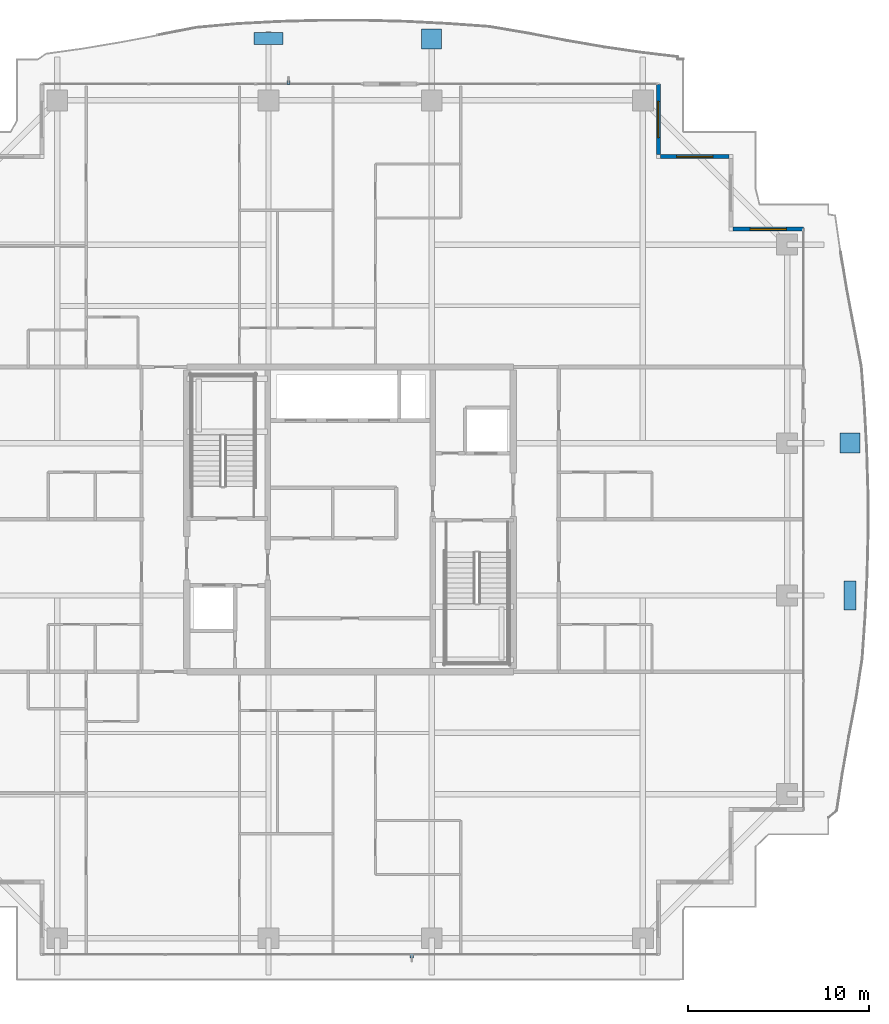
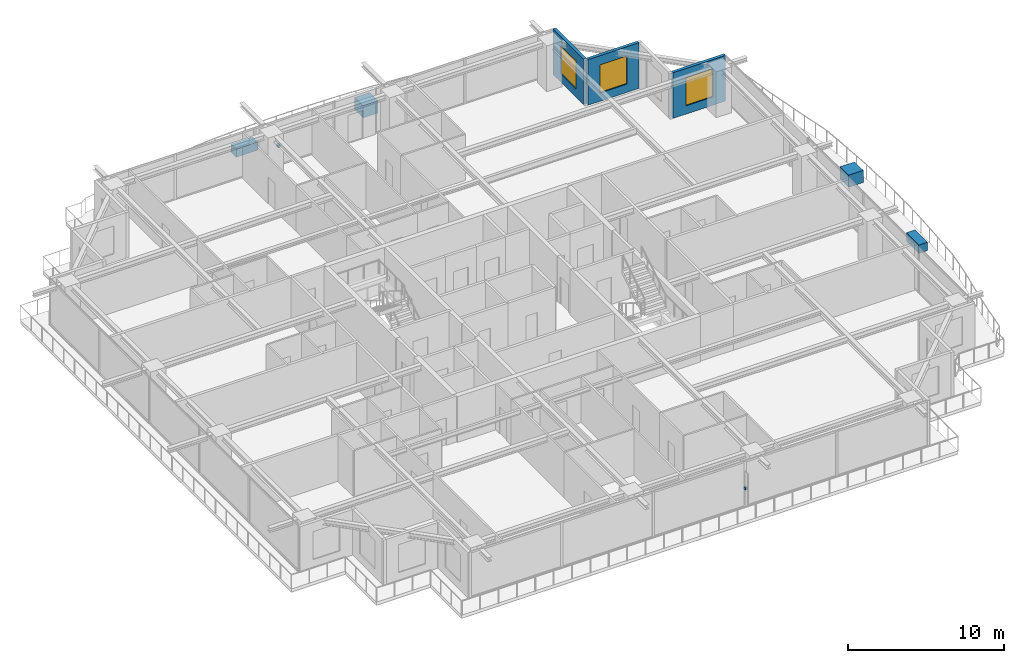
# One storey, part 30 of 38: 6 discrete accessories, 3 walls, 3 windows, 3 openings.
"""IFC4 building model written with IfcOpenShell, lengths in metres."""

from ifc_helpers import new_model, si_unit, direction, frame, frame_2d, origin, origin_2d, place, context, subcontext, project, spatial, rectangle, extrude, source, transform, mapped, material, layer, layer_set, type_object, element, fill, save


model = new_model("IFC4")

# Units and contexts
model_context = context("Model", 3, precision=1e-05, world=origin(), true_north=direction((0.0, 1.0)))
body_context = subcontext(model_context, "Body", "Model", "MODEL_VIEW")
ifc_project = project(units=[si_unit("LENGTHUNIT", "METRE"), si_unit("AREAUNIT", "SQUARE_METRE"), si_unit("VOLUMEUNIT", "CUBIC_METRE"), si_unit("PLANEANGLEUNIT", "RADIAN"), si_unit("MASSUNIT", "GRAM", prefix="KILO")], contexts=[model_context])

# Site, building, storey
site_placement = place(None, origin())
site = spatial("IfcSite", under=ifc_project, at=site_placement, CompositionType="ELEMENT")
building_placement = place(site_placement, origin())
building = spatial("IfcBuilding", under=site, at=building_placement, Name="Serunith Strait Residences", CompositionType="ELEMENT")
storey_placement = place(building_placement, frame((0.0, 0.0, 264.35009765625)))
storey = spatial("IfcBuildingStorey", under=building, at=storey_placement, Name="L66", CompositionType="ELEMENT", Elevation=264.35009765625)

# Wall, opening, window
ifc_material_1 = material(Name="Pale-Champagne Aluminium Insulated Panel", Category="aluminium")
ifc_layer = layer(ifc_material_1, 0.219970703125, Name="Pale-Champagne Aluminium Insulated Panel")
ifc_layer_set = layer_set([ifc_layer], Name="Pale-Champagne Aluminium Insulated Panel")
wall_type = type_object("IfcWallType", Name="EW-ALUM-220", PredefinedType="ELEMENTEDWALL", material=ifc_layer_set)
wall_1_placement = place(storey_placement, frame((57.39990234375, 41.199951171875, 0.0), z_axis=(0.0, 0.0, 1.0), x_axis=(-1.0, 0.0, 0.0)))
wall_1 = element("IfcWall", 1, at=wall_1_placement, inside=storey, type_object=wall_type, Name="L66 Girih Serrated Corner Wall 07", PredefinedType="ELEMENTEDWALL", context=body_context, shape_type="SweptSolid", body=[
    extrude(rectangle(XDim=3.889892578125, YDim=0.219970703125, at=frame_2d((1.94482421875, 0.0))), origin(), (0.0, 0.0, 1.0), 3.574951171875),
])
opening_1_placement = place(wall_1_placement, frame((0.945068359375, 0.0, 0.64990234375)))
opening_1 = element("IfcOpeningElement", 2, at=opening_1_placement, cuts=wall_1, Name="Opening W-04", PredefinedType="OPENING", context=body_context, shape_type="SweptSolid", body=[
    extrude(rectangle(XDim=2.0, YDim=2.199951171875, at=frame_2d((1.0, 1.10009765625))), frame((0.0, 0.1201171875, 0.0), z_axis=(0.0, -1.0, 0.0), x_axis=(1.0, 0.0, 0.0)), (0.0, 0.0, 1.0), 0.239990234375),
])
ifc_material_2 = material(Name="Ceramic-Fritted Operable Aluminium Window Glass", Category="aluminium")
window_type = type_object("IfcWindowType", Name="WIN-C4", PartitioningType="TRIPLE_PANEL_VERTICAL", PredefinedType="WINDOW", material=ifc_material_2)
shared_shape_1 = source(origin(), body_context, "Body", "SweptSolid", [
    extrude(rectangle(XDim=2.0, YDim=2.199951171875, at=frame_2d((1.0, 1.10009765625))), frame((0.0, 0.030029296875, 0.0), z_axis=(0.0, -1.0, 0.0), x_axis=(1.0, 0.0, 0.0)), (0.0, 0.0, 1.0), 0.06005859375),
])
window_1_placement = place(opening_1_placement, origin())
window_1 = element("IfcWindow", 3, at=window_1_placement, inside=storey, type_object=window_type, Name="L66 Corner Operable Fritted Window 07", OverallHeight=2.199951171875, OverallWidth=2.0, PartitioningType="SINGLE_PANEL", PredefinedType="WINDOW", context=body_context, shape_type="MappedRepresentation", body=[
    mapped(shared_shape_1, transform((0.0, 0.0, 0.0), scale=1.0)),
])
fill(opening_1, window_1)

wall_2_placement = place(storey_placement, frame((53.2900390625, 45.199951171875, 0.0), z_axis=(0.0, 0.0, 1.0), x_axis=(-1.0, 0.0, 0.0)))
wall_2 = element("IfcWall", 4, at=wall_2_placement, inside=storey, type_object=wall_type, Name="L66 Girih Serrated Corner Wall 09", PredefinedType="ELEMENTEDWALL", context=body_context, shape_type="SweptSolid", body=[
    extrude(rectangle(XDim=3.780029296875, YDim=0.219970703125, at=frame_2d((1.89013671875, 0.0))), origin(), (0.0, 0.0, 1.0), 3.574951171875),
])
opening_2_placement = place(wall_2_placement, frame((0.889892578125, 0.0, 0.64990234375)))
opening_2 = element("IfcOpeningElement", 5, at=opening_2_placement, cuts=wall_2, Name="Opening W-04", PredefinedType="OPENING", context=body_context, shape_type="SweptSolid", body=[
    extrude(rectangle(XDim=2.0, YDim=2.199951171875, at=frame_2d((1.0, 1.10009765625))), frame((0.0, 0.1201171875, 0.0), z_axis=(0.0, -1.0, 0.0), x_axis=(1.0, 0.0, 0.0)), (0.0, 0.0, 1.0), 0.239990234375),
])
window_2_placement = place(opening_2_placement, origin())
window_2 = element("IfcWindow", 6, at=window_2_placement, inside=storey, type_object=window_type, Name="L66 Corner Operable Fritted Window 09", OverallHeight=2.199951171875, OverallWidth=2.0, PartitioningType="SINGLE_PANEL", PredefinedType="WINDOW", context=body_context, shape_type="MappedRepresentation", body=[
    mapped(shared_shape_1, transform((0.0, 0.0, 0.0), scale=1.0)),
])
fill(opening_2, window_2)

wall_3_placement = place(storey_placement, frame((49.39990234375, 45.31005859375, 0.0), z_axis=(0.0, 0.0, 1.0), x_axis=(0.0, 1.0, 0.0)))
wall_3 = element("IfcWall", 7, at=wall_3_placement, inside=storey, type_object=wall_type, Name="L66 Girih Serrated Corner Wall 10", PredefinedType="ELEMENTEDWALL", context=body_context, shape_type="SweptSolid", body=[
    extrude(rectangle(XDim=3.889892578125, YDim=0.219970703125, at=frame_2d((1.94482421875, 0.0))), origin(), (0.0, 0.0, 1.0), 3.574951171875),
])
opening_3_placement = place(wall_3_placement, frame((0.945068359375, 0.0, 0.64990234375)))
opening_3 = element("IfcOpeningElement", 8, at=opening_3_placement, cuts=wall_3, Name="Opening W-04", PredefinedType="OPENING", context=body_context, shape_type="SweptSolid", body=[
    extrude(rectangle(XDim=2.0, YDim=2.199951171875, at=frame_2d((1.0, 1.10009765625))), frame((0.0, 0.1201171875, 0.0), z_axis=(0.0, -1.0, 0.0), x_axis=(1.0, 0.0, 0.0)), (0.0, 0.0, 1.0), 0.239990234375),
])
window_3_placement = place(opening_3_placement, origin())
window_3 = element("IfcWindow", 9, at=window_3_placement, inside=storey, type_object=window_type, Name="L66 Corner Operable Fritted Window 10", OverallHeight=2.199951171875, OverallWidth=2.0, PartitioningType="SINGLE_PANEL", PredefinedType="WINDOW", context=body_context, shape_type="MappedRepresentation", body=[
    mapped(shared_shape_1, transform((0.0, 0.0, 0.0), scale=1.0)),
])
fill(opening_3, window_3)

# Discrete accessories
ifc_material_3 = material(Name="GFRC Root-Anchored Structural Planter")
discrete_accessory_type_1 = type_object("IfcDiscreteAccessoryType", Name="ACC-PLANTER-TREE", PredefinedType="USERDEFINED", material=ifc_material_3)
shared_shape_2 = source(origin(), body_context, "Body", "SweptSolid", [
    extrude(rectangle(XDim=1.10009765625, YDim=1.10009765625, at=origin_2d()), origin(), (0.0, 0.0, 1.0), 0.949951171875),
])
for number, where, z_axis, x_axis, name in (
    (10, (36.89990234375, 51.679443359375, -0.05029296875), (0.0, 0.0, 1.0), (-1.0, 0.0, 0.0), "L66 Vertical-Forest Tree Planter 07"),
    (11, (59.97900390625, 29.39990234375, -0.05029296875), (0.0, 0.0, 1.0), (0.0, 1.0, 0.0), "L66 Vertical-Forest Tree Planter 11"),
):
    element("IfcDiscreteAccessory", number, at=place(storey_placement, frame(where, z_axis=z_axis, x_axis=x_axis)), inside=storey, type_object=discrete_accessory_type_1, Name=name, ObjectType="PLANTER", PredefinedType="USERDEFINED", context=body_context, shape_type="MappedRepresentation", body=[
        mapped(shared_shape_2, transform((0.0, 0.0, 0.0), scale=1.0)),
    ])
ifc_material_4 = material(Name="GFRC Irrigated Shrub Trough Planter")
discrete_accessory_type_2 = type_object("IfcDiscreteAccessoryType", Name="ACC-PLANTER-SHRUB", PredefinedType="USERDEFINED", material=ifc_material_4)
shared_shape_3 = source(origin(), body_context, "Body", "SweptSolid", [
    extrude(rectangle(XDim=1.60009765625, YDim=0.64990234375, at=origin_2d()), origin(), (0.0, 0.0, 1.0), 0.64990234375),
])
for number, where, z_axis, x_axis, name in (
    (12, (27.89990234375, 51.717529296875, -0.050048828125), (0.0, 0.0, 1.0), (-1.0, 0.0, 0.0), "L66 Vertical-Forest Shrub Planter 06"),
    (13, (59.96240234375, 21.0, -0.050048828125), (0.0, 0.0, 1.0), (0.0, 1.0, 0.0), "L66 Vertical-Forest Shrub Planter 10"),
):
    element("IfcDiscreteAccessory", number, at=place(storey_placement, frame(where, z_axis=z_axis, x_axis=x_axis)), inside=storey, type_object=discrete_accessory_type_2, Name=name, ObjectType="PLANTER", PredefinedType="USERDEFINED", context=body_context, shape_type="MappedRepresentation", body=[
        mapped(shared_shape_3, transform((0.0, 0.0, 0.0), scale=1.0)),
    ])
ifc_material_5 = material(Name="Stainless Steel Facade Cleat Bracket", Category="steel")
discrete_accessory_type_3 = type_object("IfcDiscreteAccessoryType", Name="ACC-FIN-BRACKET", PredefinedType="USERDEFINED", material=ifc_material_5)
shared_shape_4 = source(origin(), body_context, "Body", "SweptSolid", [
    extrude(rectangle(XDim=0.179931640625, YDim=0.219970703125, at=origin_2d()), origin(), (0.0, 0.0, 1.0), 0.179931640625),
])
for number, where, z_axis, x_axis, name in (
    (14, (35.800048828125, 1.1201171875, 1.41015625), (0.0, 0.0, 1.0), (1.0, 0.0, 0.0), "L66 Solar Fin Cleat Bracket S"),
    (15, (29.0, 49.280029296875, 1.41015625), (0.0, 0.0, 1.0), (1.0, 0.0, 0.0), "L66 Solar Fin Cleat Bracket N"),
):
    element("IfcDiscreteAccessory", number, at=place(storey_placement, frame(where, z_axis=z_axis, x_axis=x_axis)), inside=storey, type_object=discrete_accessory_type_3, Name=name, ObjectType="BRACKET", PredefinedType="USERDEFINED", context=body_context, shape_type="MappedRepresentation", body=[
        mapped(shared_shape_4, transform((0.0, 0.0, 0.0), scale=1.0)),
    ])

save(model, "model.ifc")
